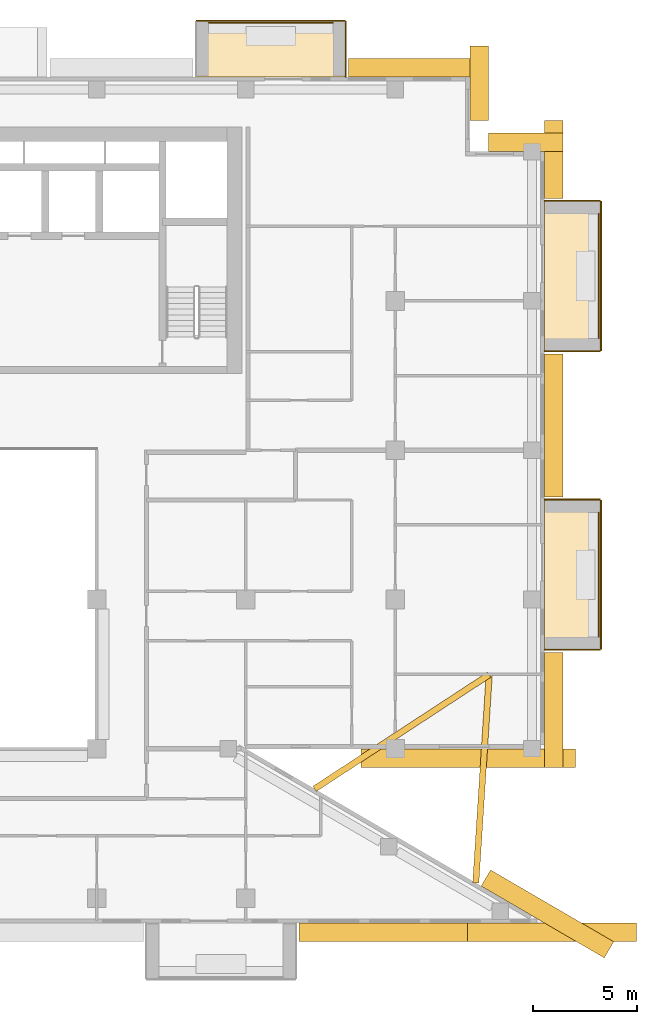
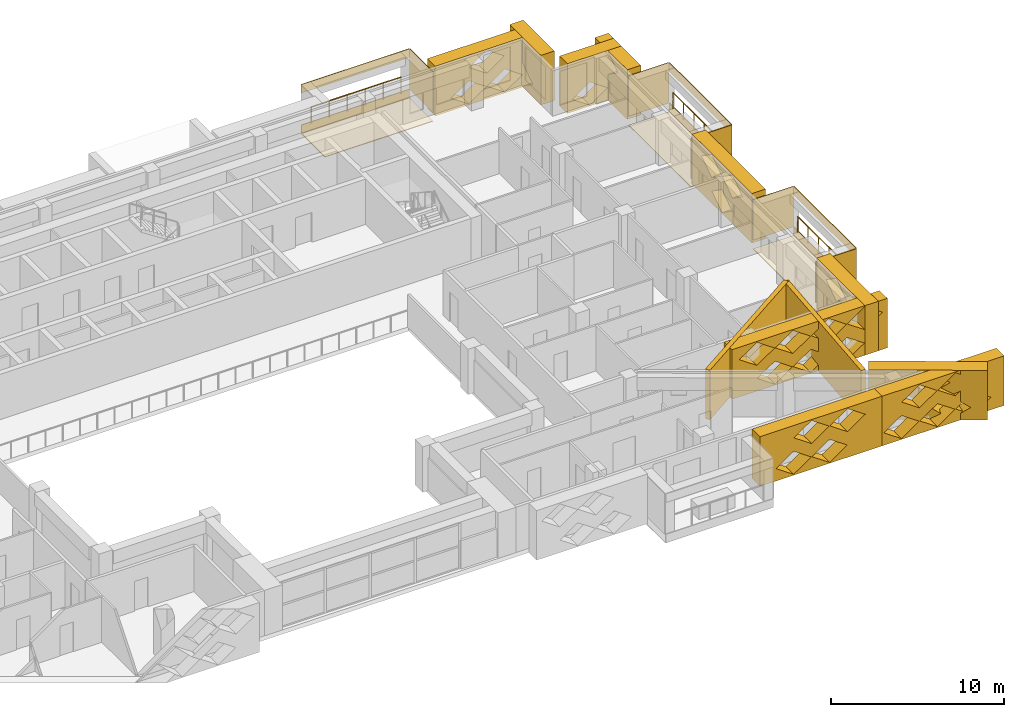
# One storey, part 20 of 20: 26 coverings, 3 railings.
"""IFC4 building model written with IfcOpenShell, lengths in metres."""

from ifc_helpers import new_model, si_unit, direction, frame, origin, origin_2d, place, context, subcontext, project, spatial, polyline, circle, outline, extrude, material, layer, layer_set, type_object, element, save


model = new_model("IFC4")

# Units and contexts
model_context = context("Model", 3, precision=1e-05, world=origin(), true_north=direction((0.0, 1.0)))
body_context = subcontext(model_context, "Body", "Model", "MODEL_VIEW")
ifc_project = project(units=[si_unit("LENGTHUNIT", "METRE"), si_unit("AREAUNIT", "SQUARE_METRE"), si_unit("VOLUMEUNIT", "CUBIC_METRE"), si_unit("PLANEANGLEUNIT", "RADIAN"), si_unit("MASSUNIT", "GRAM", prefix="KILO")], contexts=[model_context])

# Site, building, storey
site_placement = place(None, origin())
site = spatial("IfcSite", under=ifc_project, at=site_placement, CompositionType="ELEMENT")
building_placement = place(site_placement, origin())
building = spatial("IfcBuilding", under=site, at=building_placement, Name="Saffron Iwan Residences", CompositionType="ELEMENT")
storey_placement = place(building_placement, frame((0.0, 0.0, 185.0)))
storey = spatial("IfcBuildingStorey", under=building, at=storey_placement, Name="L49", CompositionType="ELEMENT", Elevation=185.0)

# Railings
ifc_material_1 = material(Name="Stainless steel 316", Category="steel")
railing_type = type_object("IfcRailingType", Name="BALCONY GUARD 1150", PredefinedType="GUARDRAIL", material=ifc_material_1)
for number, where, name in (
    (1, (89.02490234375, 53.39990234375, 0.0), "Balcony guard L49 F2-0"),
    (2, (89.02490234375, 67.800048828125, 0.0), "Balcony guard L49 F2-1"),
):
    element("IfcRailing", number, at=place(storey_placement, frame(where)), inside=storey, type_object=railing_type, Name=name, PredefinedType="GUARDRAIL", context=body_context, shape_type="SweptSolid", body=[
        extrude(circle(Radius=0.02392578125, at=origin_2d()), frame((0.0, 0.0, 1.1259765625), z_axis=(0.0, 1.0, 0.0), x_axis=(-1.0, 0.0, 0.0)), (0.0, 0.0, 1.0), 6.0),
        extrude(circle(Radius=0.02099609375, at=origin_2d()), origin(), (0.0, 0.0, 1.0), 1.101806640625),
        extrude(circle(Radius=0.02099609375, at=origin_2d()), frame((0.0, 1.199951171875, 0.0)), (0.0, 0.0, 1.0), 1.101806640625),
        extrude(circle(Radius=0.02099609375, at=origin_2d()), frame((0.0, 2.39990234375, 0.0)), (0.0, 0.0, 1.0), 1.101806640625),
        extrude(circle(Radius=0.02099609375, at=origin_2d()), frame((0.0, 3.60009765625, 0.0)), (0.0, 0.0, 1.0), 1.101806640625),
        extrude(circle(Radius=0.02099609375, at=origin_2d()), frame((0.0, 4.800048828125, 0.0)), (0.0, 0.0, 1.0), 1.101806640625),
        extrude(circle(Radius=0.02099609375, at=origin_2d()), frame((0.0, 6.0, 0.0)), (0.0, 0.0, 1.0), 1.101806640625),
    ])
railing_placement = place(storey_placement, frame((76.199951171875, 83.02490234375, 0.0)))
element("IfcRailing", 3, at=railing_placement, inside=storey, type_object=railing_type, Name="Balcony guard L49 F5-0", PredefinedType="GUARDRAIL", context=body_context, shape_type="SweptSolid", body=[
    extrude(circle(Radius=0.02392578125, at=origin_2d()), frame((0.0, 0.0, 1.1259765625), z_axis=(-1.0, 0.0, 0.0), x_axis=(0.0, -1.0, 0.0)), (0.0, 0.0, 1.0), 6.0),
    extrude(circle(Radius=0.02099609375, at=origin_2d()), origin(), (0.0, 0.0, 1.0), 1.101806640625),
    extrude(circle(Radius=0.02099609375, at=origin_2d()), frame((-1.199951171875, 0.0, 0.0)), (0.0, 0.0, 1.0), 1.101806640625),
    extrude(circle(Radius=0.02099609375, at=origin_2d()), frame((-2.39990234375, 0.0, 0.0)), (0.0, 0.0, 1.0), 1.101806640625),
    extrude(circle(Radius=0.02099609375, at=origin_2d()), frame((-3.60009765625, 0.0, 0.0)), (0.0, 0.0, 1.0), 1.101806640625),
    extrude(circle(Radius=0.02099609375, at=origin_2d()), frame((-4.800048828125, 0.0, 0.0)), (0.0, 0.0, 1.0), 1.101806640625),
    extrude(circle(Radius=0.02099609375, at=origin_2d()), frame((-6.0, 0.0, 0.0)), (0.0, 0.0, 1.0), 1.101806640625),
])

# Coverings
ifc_material_2 = material(Name="Precast concrete C40/50 white painted", Category="concrete")
ifc_layer_1 = layer(ifc_material_2, 0.050048828125)
ifc_layer_set_1 = layer_set([ifc_layer_1], Name="Precast concrete C40/50 white painted")
covering_type_1 = type_object("IfcCoveringType", Name="FRAME SKIN PRECAST WHITE 50", PredefinedType="CLADDING", material=ifc_layer_set_1)
for number, where, name in (
    (4, (0.0, 0.0, -0.60009765625), "Frame skin slab edge L49 F2-0"),
    (5, (0.0, 0.0, 2.25), "Frame skin fascia L49 F2-0"),
):
    element("IfcCovering", number, at=place(storey_placement, frame(where)), inside=storey, type_object=covering_type_1, Name=name, PredefinedType="CLADDING", context=body_context, shape_type="SweptSolid", body=[
        extrude(outline(polyline([(89.14990234375, 52.800048828125), (89.14990234375, 60.0), (89.10009765625, 60.0), (89.10009765625, 52.800048828125), (89.14990234375, 52.800048828125)])), origin(), (0.0, 0.0, 1.0), 0.60009765625),
    ])
covering_1_placement = place(storey_placement, frame((0.0, 0.0, -0.64990234375)))
element("IfcCovering", 6, at=covering_1_placement, inside=storey, type_object=covering_type_1, Name="Frame skin soffit L49 F2-0", PredefinedType="CLADDING", context=body_context, shape_type="SweptSolid", body=[
    extrude(outline(polyline([(89.10009765625, 52.800048828125), (89.10009765625, 60.0), (86.39990234375, 60.0), (86.39990234375, 52.800048828125), (89.10009765625, 52.800048828125)])), origin(), (0.0, 0.0, 1.0), 0.0498046875),
])
covering_2_placement = place(storey_placement, origin())
element("IfcCovering", 7, at=covering_2_placement, inside=storey, type_object=covering_type_1, Name="Frame skin fin L49 F2-0a", PredefinedType="CLADDING", context=body_context, shape_type="SweptSolid", body=[
    extrude(outline(polyline([(89.10009765625, 52.75), (89.10009765625, 52.800048828125), (86.39990234375, 52.800048828125), (86.39990234375, 52.75), (89.10009765625, 52.75)])), origin(), (0.0, 0.0, 1.0), 2.85009765625),
])
covering_3_placement = place(storey_placement, origin())
element("IfcCovering", 8, at=covering_3_placement, inside=storey, type_object=covering_type_1, Name="Frame skin fin L49 F2-0b", PredefinedType="CLADDING", context=body_context, shape_type="SweptSolid", body=[
    extrude(outline(polyline([(89.10009765625, 60.0), (89.10009765625, 60.050048828125), (86.39990234375, 60.050048828125), (86.39990234375, 60.0), (89.10009765625, 60.0)])), origin(), (0.0, 0.0, 1.0), 2.85009765625),
])
for number, where, name in (
    (9, (0.0, 0.0, -0.60009765625), "Frame skin slab edge L49 F2-1"),
    (10, (0.0, 0.0, 2.25), "Frame skin fascia L49 F2-1"),
):
    element("IfcCovering", number, at=place(storey_placement, frame(where)), inside=storey, type_object=covering_type_1, Name=name, PredefinedType="CLADDING", context=body_context, shape_type="SweptSolid", body=[
        extrude(outline(polyline([(89.14990234375, 67.199951171875), (89.14990234375, 74.39990234375), (89.10009765625, 74.39990234375), (89.10009765625, 67.199951171875), (89.14990234375, 67.199951171875)])), origin(), (0.0, 0.0, 1.0), 0.60009765625),
    ])
covering_4_placement = place(storey_placement, frame((0.0, 0.0, -0.64990234375)))
element("IfcCovering", 11, at=covering_4_placement, inside=storey, type_object=covering_type_1, Name="Frame skin soffit L49 F2-1", PredefinedType="CLADDING", context=body_context, shape_type="SweptSolid", body=[
    extrude(outline(polyline([(89.10009765625, 67.199951171875), (89.10009765625, 74.39990234375), (86.39990234375, 74.39990234375), (86.39990234375, 67.199951171875), (89.10009765625, 67.199951171875)])), origin(), (0.0, 0.0, 1.0), 0.0498046875),
])
covering_5_placement = place(storey_placement, origin())
element("IfcCovering", 12, at=covering_5_placement, inside=storey, type_object=covering_type_1, Name="Frame skin fin L49 F2-1a", PredefinedType="CLADDING", context=body_context, shape_type="SweptSolid", body=[
    extrude(outline(polyline([(89.10009765625, 67.14990234375), (89.10009765625, 67.199951171875), (86.39990234375, 67.199951171875), (86.39990234375, 67.14990234375), (89.10009765625, 67.14990234375)])), origin(), (0.0, 0.0, 1.0), 2.85009765625),
])
covering_6_placement = place(storey_placement, origin())
element("IfcCovering", 13, at=covering_6_placement, inside=storey, type_object=covering_type_1, Name="Frame skin fin L49 F2-1b", PredefinedType="CLADDING", context=body_context, shape_type="SweptSolid", body=[
    extrude(outline(polyline([(89.10009765625, 74.39990234375), (89.10009765625, 74.449951171875), (86.39990234375, 74.449951171875), (86.39990234375, 74.39990234375), (89.10009765625, 74.39990234375)])), origin(), (0.0, 0.0, 1.0), 2.85009765625),
])
for number, where, name in (
    (14, (0.0, 0.0, -0.60009765625), "Frame skin slab edge L49 F5-0"),
    (15, (0.0, 0.0, 2.25), "Frame skin fascia L49 F5-0"),
):
    element("IfcCovering", number, at=place(storey_placement, frame(where)), inside=storey, type_object=covering_type_1, Name=name, PredefinedType="CLADDING", context=body_context, shape_type="SweptSolid", body=[
        extrude(outline(polyline([(76.800048828125, 83.14990234375), (69.60009765625, 83.14990234375), (69.60009765625, 83.10009765625), (76.800048828125, 83.10009765625), (76.800048828125, 83.14990234375)])), origin(), (0.0, 0.0, 1.0), 0.60009765625),
    ])
covering_7_placement = place(storey_placement, frame((0.0, 0.0, -0.64990234375)))
element("IfcCovering", 16, at=covering_7_placement, inside=storey, type_object=covering_type_1, Name="Frame skin soffit L49 F5-0", PredefinedType="CLADDING", context=body_context, shape_type="SweptSolid", body=[
    extrude(outline(polyline([(76.800048828125, 83.10009765625), (69.60009765625, 83.10009765625), (69.60009765625, 80.39990234375), (76.800048828125, 80.39990234375), (76.800048828125, 83.10009765625)])), origin(), (0.0, 0.0, 1.0), 0.0498046875),
])
covering_8_placement = place(storey_placement, origin())
element("IfcCovering", 17, at=covering_8_placement, inside=storey, type_object=covering_type_1, Name="Frame skin fin L49 F5-0a", PredefinedType="CLADDING", context=body_context, shape_type="SweptSolid", body=[
    extrude(outline(polyline([(76.85009765625, 83.10009765625), (76.800048828125, 83.10009765625), (76.800048828125, 80.39990234375), (76.85009765625, 80.39990234375), (76.85009765625, 83.10009765625)])), origin(), (0.0, 0.0, 1.0), 2.85009765625),
])
ifc_material_3 = material(Name="Precast concrete C40/50", Category="concrete")
covering_type_2 = type_object("IfcCoveringType", Name="OUTER SKIN LATTICE SCREEN", PredefinedType="CLADDING", material=ifc_material_3)
covering_9_placement = place(storey_placement, frame((89.283935546875, 37.917724609375, -0.300048828125), z_axis=(0.503803550485, 0.863818257806, 0.0), x_axis=(-0.863818257806, 0.503803550485, 0.0)))
element("IfcCovering", 18, at=covering_9_placement, inside=storey, type_object=covering_type_2, Name="OUTER SKIN lattice screen L49 F0.0", PredefinedType="CLADDING", context=body_context, shape_type="SweptSolid", body=[
    extrude(outline(polyline([(0.0, 0.0), (6.874267578125, 0.0), (6.874267578125, 3.5), (0.0, 3.5), (0.0, 0.0)]), holes=[polyline([(0.958740234375, 0.875), (2.138671875, 0.06005859375), (3.318603515625, 0.875), (2.138671875, 1.68994140625), (0.958740234375, 0.875)]), polyline([(3.358642578125, 0.875), (4.538818359375, 0.06005859375), (5.71875, 0.875), (4.538818359375, 1.68994140625), (3.358642578125, 0.875)]), polyline([(2.15869140625, 2.625), (3.338623046875, 1.81005859375), (4.518798828125, 2.625), (3.338623046875, 3.43994140625), (2.15869140625, 2.625)])]), origin(), (0.0, 0.0, 1.0), 0.89990234375),
])
covering_10_placement = place(storey_placement, frame((77.538818359375, 48.0, -0.300048828125), z_axis=(0.0, -1.0, 0.0), x_axis=(1.0, 0.0, 0.0)))
element("IfcCovering", 19, at=covering_10_placement, inside=storey, type_object=covering_type_2, Name="OUTER SKIN lattice screen L49 F1.0", PredefinedType="CLADDING", context=body_context, shape_type="SweptSolid", body=[
    extrude(outline(polyline([(0.0, 0.0), (10.361328125, 0.0), (10.361328125, 3.5), (0.0, 3.5), (0.0, 0.0)]), holes=[polyline([(1.681396484375, 0.875), (2.861328125, 0.06005859375), (4.041259765625, 0.875), (2.861328125, 1.68994140625), (1.681396484375, 0.875)]), polyline([(4.081298828125, 0.875), (5.26123046875, 0.06005859375), (6.44140625, 0.875), (5.26123046875, 1.68994140625), (4.081298828125, 0.875)]), polyline([(6.481201171875, 0.875), (7.661376953125, 0.06005859375), (8.84130859375, 0.875), (7.661376953125, 1.68994140625), (6.481201171875, 0.875)]), polyline([(0.481201171875, 2.625), (1.661376953125, 1.81005859375), (2.84130859375, 2.625), (1.661376953125, 3.43994140625), (0.481201171875, 2.625)]), polyline([(2.88134765625, 2.625), (4.061279296875, 1.81005859375), (5.2412109375, 2.625), (4.061279296875, 3.43994140625), (2.88134765625, 2.625)]), polyline([(5.28125, 2.625), (6.461181640625, 1.81005859375), (7.641357421875, 2.625), (6.461181640625, 3.43994140625), (5.28125, 2.625)]), polyline([(7.681396484375, 2.625), (8.861328125, 1.81005859375), (10.041259765625, 2.625), (8.861328125, 3.43994140625), (7.681396484375, 2.625)])]), origin(), (0.0, 0.0, 1.0), 0.89990234375),
])
covering_11_placement = place(storey_placement, frame((86.39990234375, 47.10009765625, -0.300048828125), z_axis=(1.0, 0.0, 0.0), x_axis=(0.0, 1.0, 0.0)))
element("IfcCovering", 20, at=covering_11_placement, inside=storey, type_object=covering_type_2, Name="OUTER SKIN lattice screen L49 F2.0", PredefinedType="CLADDING", context=body_context, shape_type="SweptSolid", body=[
    extrude(outline(polyline([(0.0, 0.0), (5.550048828125, 0.0), (5.550048828125, 3.5), (0.0, 3.5), (0.0, 0.0)]), holes=[polyline([(0.919921875, 0.875), (2.10009765625, 0.06005859375), (3.280029296875, 0.875), (2.10009765625, 1.68994140625), (0.919921875, 0.875)]), polyline([(2.1201171875, 2.625), (3.300048828125, 1.81005859375), (4.47998046875, 2.625), (3.300048828125, 3.43994140625), (2.1201171875, 2.625)])]), origin(), (0.0, 0.0, 1.0), 0.900146484375),
])
covering_12_placement = place(storey_placement, frame((86.39990234375, 60.14990234375, -0.300048828125), z_axis=(1.0, 0.0, 0.0), x_axis=(0.0, 1.0, 0.0)))
element("IfcCovering", 21, at=covering_12_placement, inside=storey, type_object=covering_type_2, Name="OUTER SKIN lattice screen L49 F2.1", PredefinedType="CLADDING", context=body_context, shape_type="SweptSolid", body=[
    extrude(outline(polyline([(0.0, 0.0), (6.89990234375, 0.0), (6.89990234375, 3.5), (0.0, 3.5), (0.0, 0.0)]), holes=[polyline([(2.27001953125, 0.875), (3.449951171875, 0.06005859375), (4.6298828125, 0.875), (3.449951171875, 1.68994140625), (2.27001953125, 0.875)]), polyline([(1.070068359375, 2.625), (2.25, 1.81005859375), (3.429931640625, 2.625), (2.25, 3.43994140625), (1.070068359375, 2.625)]), polyline([(3.469970703125, 2.625), (4.64990234375, 1.81005859375), (5.830078125, 2.625), (4.64990234375, 3.43994140625), (3.469970703125, 2.625)])]), origin(), (0.0, 0.0, 1.0), 0.900146484375),
])
covering_13_placement = place(storey_placement, frame((86.39990234375, 74.550048828125, -0.300048828125), z_axis=(1.0, 0.0, 0.0), x_axis=(0.0, 1.0, 0.0)))
element("IfcCovering", 22, at=covering_13_placement, inside=storey, type_object=covering_type_2, Name="OUTER SKIN lattice screen L49 F2.2", PredefinedType="CLADDING", context=body_context, shape_type="SweptSolid", body=[
    extrude(outline(polyline([(0.0, 0.0), (3.75, 0.0), (3.75, 3.5), (0.0, 3.5), (0.0, 0.0)]), holes=[polyline([(1.070068359375, 2.625), (2.25, 1.81005859375), (3.429931640625, 2.625), (2.25, 3.43994140625), (1.070068359375, 2.625)])]), origin(), (0.0, 0.0, 1.0), 0.900146484375),
])
for number, where, z_axis, x_axis, name in (
    (23, (87.300048828125, 76.800048828125, -0.300048828125), (0.0, 1.0, 0.0), (-1.0, 0.0, 0.0), "OUTER SKIN lattice screen L49 F3.0"),
    (24, (82.800048828125, 78.300048828125, -0.300048828125), (1.0, 0.0, 0.0), (0.0, 1.0, 0.0), "OUTER SKIN lattice screen L49 F4.0"),
):
    element("IfcCovering", number, at=place(storey_placement, frame(where, z_axis=z_axis, x_axis=x_axis)), inside=storey, type_object=covering_type_2, Name=name, PredefinedType="CLADDING", context=body_context, shape_type="SweptSolid", body=[
        extrude(outline(polyline([(0.0, 0.0), (3.60009765625, 0.0), (3.60009765625, 3.5), (0.0, 3.5), (0.0, 0.0)]), holes=[polyline([(0.919921875, 0.875), (2.10009765625, 0.06005859375), (3.280029296875, 0.875), (2.10009765625, 1.68994140625), (0.919921875, 0.875)])]), origin(), (0.0, 0.0, 1.0), 0.89990234375),
    ])
covering_14_placement = place(storey_placement, frame((83.699951171875, 80.39990234375, -0.300048828125), z_axis=(0.0, 1.0, 0.0), x_axis=(-1.0, 0.0, 0.0)))
element("IfcCovering", 25, at=covering_14_placement, inside=storey, type_object=covering_type_2, Name="OUTER SKIN lattice screen L49 F5.0", PredefinedType="CLADDING", context=body_context, shape_type="SweptSolid", body=[
    extrude(outline(polyline([(0.0, 0.0), (6.75, 0.0), (6.75, 3.5), (0.0, 3.5), (0.0, 0.0)]), holes=[polyline([(0.919921875, 0.875), (2.10009765625, 0.06005859375), (3.280029296875, 0.875), (2.10009765625, 1.68994140625), (0.919921875, 0.875)]), polyline([(3.320068359375, 0.875), (4.5, 0.06005859375), (5.679931640625, 0.875), (4.5, 1.68994140625), (3.320068359375, 0.875)]), polyline([(2.1201171875, 2.625), (3.300048828125, 1.81005859375), (4.47998046875, 2.625), (3.300048828125, 3.43994140625), (2.1201171875, 2.625)])]), origin(), (0.0, 0.0, 1.0), 0.900146484375),
])
covering_15_placement = place(storey_placement, frame((74.550048828125, 39.60009765625, -0.300048828125), z_axis=(0.0, -1.0, 0.0), x_axis=(1.0, 0.0, 0.0)))
element("IfcCovering", 26, at=covering_15_placement, inside=storey, type_object=covering_type_2, Name="OUTER SKIN lattice screen L49 F11.3", PredefinedType="CLADDING", context=body_context, shape_type="SweptSolid", body=[
    extrude(outline(polyline([(0.0, 0.0), (8.144287109375, 0.0), (8.144287109375, 3.5), (0.0, 3.5), (0.0, 0.0)]), holes=[polyline([(1.070068359375, 0.875), (2.25, 0.06005859375), (3.429931640625, 0.875), (2.25, 1.68994140625), (1.070068359375, 0.875)]), polyline([(3.469970703125, 0.875), (4.64990234375, 0.06005859375), (5.830078125, 0.875), (4.64990234375, 1.68994140625), (3.469970703125, 0.875)]), polyline([(2.27001953125, 2.625), (3.449951171875, 1.81005859375), (4.6298828125, 2.625), (3.449951171875, 3.43994140625), (2.27001953125, 2.625)]), polyline([(4.669921875, 2.625), (5.85009765625, 1.81005859375), (7.030029296875, 2.625), (5.85009765625, 3.43994140625), (4.669921875, 2.625)])]), origin(), (0.0, 0.0, 1.0), 0.900146484375),
])
covering_16_placement = place(storey_placement, frame((82.6943359375, 39.60009765625, -0.300048828125), z_axis=(0.0, -1.0, 0.0), x_axis=(1.0, 0.0, 0.0)))
element("IfcCovering", 27, at=covering_16_placement, inside=storey, type_object=covering_type_2, Name="OUTER SKIN lattice screen L49 F11.4", PredefinedType="CLADDING", context=body_context, shape_type="SweptSolid", body=[
    extrude(outline(polyline([(0.0, 0.0), (8.144287109375, 0.0), (8.144287109375, 3.5), (0.0, 3.5), (0.0, 0.0)]), holes=[polyline([(0.125732421875, 0.875), (1.3056640625, 0.06005859375), (2.485595703125, 0.875), (1.3056640625, 1.68994140625), (0.125732421875, 0.875)]), polyline([(2.525634765625, 0.875), (3.705810546875, 0.06005859375), (4.8857421875, 0.875), (3.705810546875, 1.68994140625), (2.525634765625, 0.875)]), polyline([(4.925537109375, 0.875), (6.105712890625, 0.06005859375), (7.28564453125, 0.875), (6.105712890625, 1.68994140625), (4.925537109375, 0.875)]), polyline([(1.32568359375, 2.625), (2.505615234375, 1.81005859375), (3.685791015625, 2.625), (2.505615234375, 3.43994140625), (1.32568359375, 2.625)]), polyline([(3.7255859375, 2.625), (4.90576171875, 1.81005859375), (6.085693359375, 2.625), (4.90576171875, 3.43994140625), (3.7255859375, 2.625)])]), origin(), (0.0, 0.0, 1.0), 0.900146484375),
])
ifc_layer_2 = layer(ifc_material_2, 0.300048828125)
ifc_layer_set_2 = layer_set([ifc_layer_2], Name="Precast concrete C40/50 white painted")
covering_type_3 = type_object("IfcCoveringType", Name="PROW NOSE BLADE PRECAST WHITE", PredefinedType="CLADDING", material=ifc_layer_set_2)
covering_17_placement = place(storey_placement, frame((0.0, 0.0, -0.300048828125)))
element("IfcCovering", 28, at=covering_17_placement, inside=storey, type_object=covering_type_3, Name="Prow nose blade L49 a", PredefinedType="CLADDING", context=body_context, shape_type="SweptSolid", body=[
    extrude(outline(polyline([(83.23681640625, 41.52294921875), (83.884521484375, 51.564453125), (83.585205078125, 51.583740234375), (82.937255859375, 41.542236328125), (83.23681640625, 41.52294921875)])), origin(), (0.0, 0.0, 1.0), 3.5),
])
covering_18_placement = place(storey_placement, frame((0.0, 0.0, -0.300048828125)))
element("IfcCovering", 29, at=covering_18_placement, inside=storey, type_object=covering_type_3, Name="Prow nose blade L49 b", PredefinedType="CLADDING", context=body_context, shape_type="SweptSolid", body=[
    extrude(outline(polyline([(75.39501953125, 45.94189453125), (83.81689453125, 51.448486328125), (83.65283203125, 51.69970703125), (75.23095703125, 46.193115234375), (75.39501953125, 45.94189453125)])), origin(), (0.0, 0.0, 1.0), 3.5),
])

save(model, "model.ifc")
